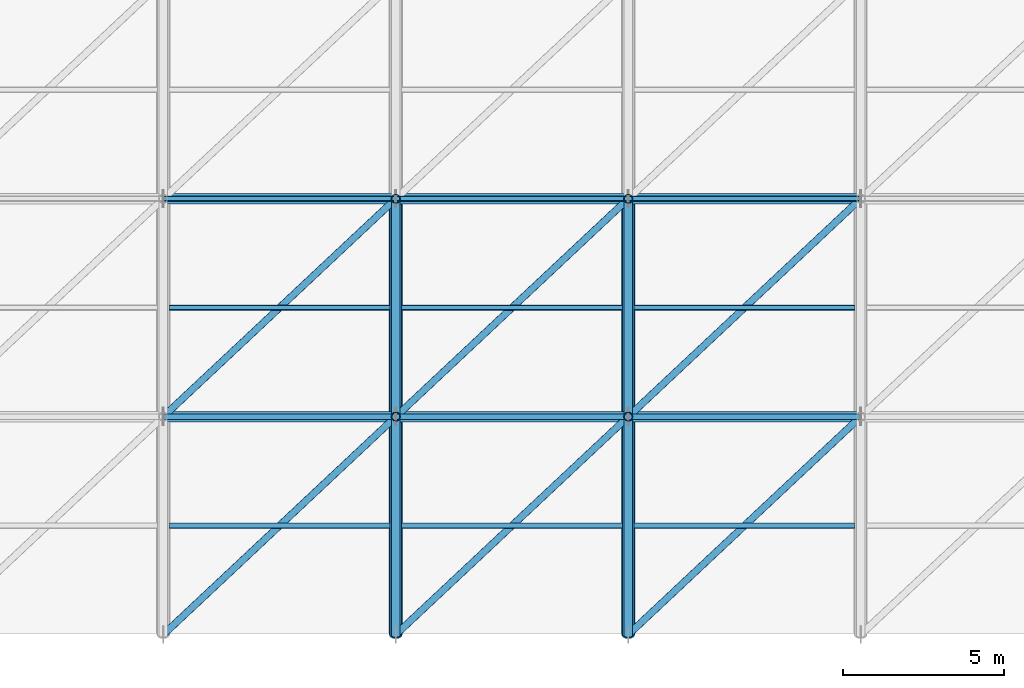
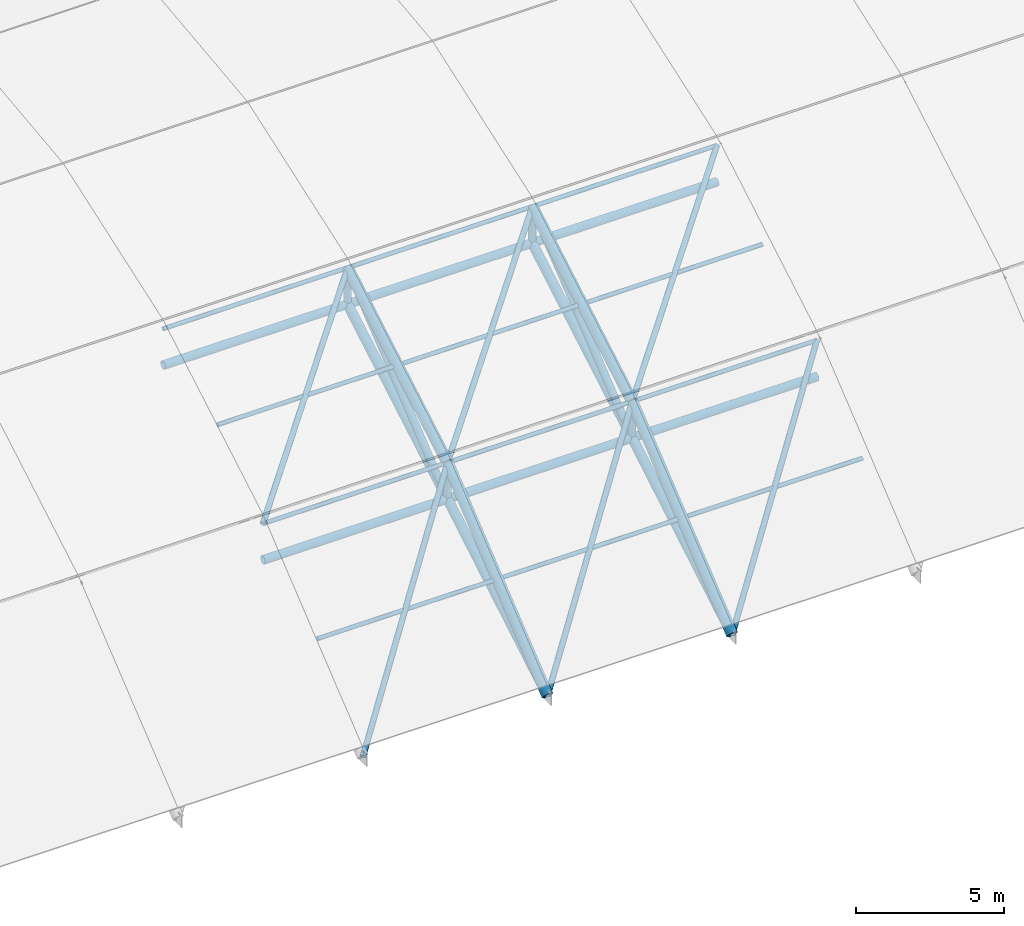
# One storey, part 2 of 72: 36 members, 4 beams.
"""IFC4 building model written with IfcOpenShell, lengths in metres."""

from ifc_helpers import new_model, si_unit, direction, frame, origin, origin_2d, place, context, subcontext, project, spatial, hollow_circle, extrude, material, material_profile, profile_set, type_object, element, save


model = new_model("IFC4")

# Units and contexts
model_context = context("Model", 3, precision=1e-05, world=origin(), true_north=direction((0.0, 1.0)))
body_context = subcontext(model_context, "Body", "Model", "MODEL_VIEW")
ifc_project = project(units=[si_unit("LENGTHUNIT", "METRE"), si_unit("AREAUNIT", "SQUARE_METRE"), si_unit("VOLUMEUNIT", "CUBIC_METRE"), si_unit("PLANEANGLEUNIT", "RADIAN"), si_unit("MASSUNIT", "GRAM", prefix="KILO")], contexts=[model_context])

# Site, building, storey
site_placement = place(None, origin())
site = spatial("IfcSite", under=ifc_project, at=site_placement, CompositionType="ELEMENT")
building_placement = place(site_placement, origin())
building = spatial("IfcBuilding", under=site, at=building_placement, Name="Vaelcorin Mobility Hub", CompositionType="ELEMENT")
storey_placement = place(building_placement, frame((0.0, 0.0, 25.800048828125)))
storey = spatial("IfcBuildingStorey", under=building, at=storey_placement, Name="RF", CompositionType="ELEMENT", Elevation=25.800048828125)

# Members
ifc_material = material(Name="Steel ASTM A500 Grade C", Category="steel")
ifc_material_profile_1 = material_profile(ifc_material, hollow_circle(Radius=0.161865234375, WallThickness=0.0126953125, at=origin_2d()), Name="HSS12.750X0.500")
ifc_profile_set_1 = profile_set([ifc_material_profile_1], Name="Steel ASTM A500 Grade C")
member_type_1 = type_object("IfcMemberType", Name="SF-CHORD-12", PredefinedType="CHORD", material=ifc_profile_set_1)
for number, where, z_axis, x_axis, name in (
    (1, (50.39990234375, 12.75, -15.7880859375), (1.0, 0.0, 0.0), (0.0, 1.0, 0.0), "Space Frame Lower Longitudinal Chord 3-1"),
    (2, (50.39990234375, 19.5, -11.85009765625), (1.0, 0.0, 0.0), (0.0, 1.0, 0.0), "Space Frame Lower Longitudinal Chord 3-2"),
):
    element("IfcMember", number, at=place(storey_placement, frame(where, z_axis=z_axis, x_axis=x_axis)), inside=storey, type_object=member_type_1, Name=name, PredefinedType="CHORD", context=body_context, shape_type="SweptSolid", body=[
        extrude(hollow_circle(Radius=0.161865234375, WallThickness=0.0126953125, at=origin_2d()), origin(), (0.0, 0.0, 1.0), 7.2001953125),
    ])
for number, where, z_axis, x_axis, name in (
    (3, (57.60009765625, 12.75, -15.7880859375), (1.0, 0.0, 0.0), (0.0, 1.0, 0.0), "Space Frame Lower Longitudinal Chord 4-1"),
    (4, (57.60009765625, 19.5, -11.85009765625), (1.0, 0.0, 0.0), (0.0, 1.0, 0.0), "Space Frame Lower Longitudinal Chord 4-2"),
    (5, (64.800048828125, 12.75, -15.7880859375), (1.0, 0.0, 0.0), (0.0, 1.0, 0.0), "Space Frame Lower Longitudinal Chord 5-1"),
    (6, (64.800048828125, 19.5, -11.85009765625), (1.0, 0.0, 0.0), (0.0, 1.0, 0.0), "Space Frame Lower Longitudinal Chord 5-2"),
):
    element("IfcMember", number, at=place(storey_placement, frame(where, z_axis=z_axis, x_axis=x_axis)), inside=storey, type_object=member_type_1, Name=name, PredefinedType="CHORD", context=body_context, shape_type="SweptSolid", body=[
        extrude(hollow_circle(Radius=0.161865234375, WallThickness=0.0126953125, at=origin_2d()), origin(), (0.0, 0.0, 1.0), 7.199951171875),
    ])
ifc_material_profile_2 = material_profile(ifc_material, hollow_circle(Radius=0.177734375, WallThickness=0.0126953125, at=origin_2d()), Name="HSS14.000X0.500")
ifc_profile_set_2 = profile_set([ifc_material_profile_2], Name="Steel ASTM A500 Grade C")
member_type_2 = type_object("IfcMemberType", Name="SF-CHORD-14", PredefinedType="CHORD", material=ifc_profile_set_2)
member_1_placement = place(storey_placement, frame((57.60009765625, 6.0, -19.800048828125), z_axis=(0.0, 0.859622623593, 0.510929491229), x_axis=(-1.0, 0.0, 0.0)))
element("IfcMember", 7, at=member_1_placement, inside=storey, type_object=member_type_2, Name="Space Frame Roof Truss Lower Chord 4-1", PredefinedType="CHORD", context=body_context, shape_type="SweptSolid", body=[
    extrude(hollow_circle(Radius=0.177734375, WallThickness=0.0126953125, at=origin_2d()), origin(), (0.0, 0.0, 1.0), 7.852294921875),
])
member_2_placement = place(storey_placement, frame((57.60009765625, 12.75, -15.7880859375), z_axis=(0.0, 0.863751705385, 0.503917643514), x_axis=(-1.0, 0.0, 0.0)))
element("IfcMember", 8, at=member_2_placement, inside=storey, type_object=member_type_2, Name="Space Frame Roof Truss Lower Chord 4-2", PredefinedType="CHORD", context=body_context, shape_type="SweptSolid", body=[
    extrude(hollow_circle(Radius=0.177734375, WallThickness=0.0126953125, at=origin_2d()), origin(), (0.0, 0.0, 1.0), 7.814697265625),
])
member_3_placement = place(storey_placement, frame((64.800048828125, 6.0, -19.800048828125), z_axis=(0.0, 0.859622623593, 0.510929491229), x_axis=(-1.0, 0.0, 0.0)))
element("IfcMember", 9, at=member_3_placement, inside=storey, type_object=member_type_2, Name="Space Frame Roof Truss Lower Chord 5-1", PredefinedType="CHORD", context=body_context, shape_type="SweptSolid", body=[
    extrude(hollow_circle(Radius=0.177734375, WallThickness=0.0126953125, at=origin_2d()), origin(), (0.0, 0.0, 1.0), 7.852294921875),
])
member_4_placement = place(storey_placement, frame((64.800048828125, 12.75, -15.7880859375), z_axis=(0.0, 0.863751705385, 0.503917643514), x_axis=(-1.0, 0.0, 0.0)))
element("IfcMember", 10, at=member_4_placement, inside=storey, type_object=member_type_2, Name="Space Frame Roof Truss Lower Chord 5-2", PredefinedType="CHORD", context=body_context, shape_type="SweptSolid", body=[
    extrude(hollow_circle(Radius=0.177734375, WallThickness=0.0126953125, at=origin_2d()), origin(), (0.0, 0.0, 1.0), 7.814697265625),
])
ifc_material_profile_3 = material_profile(ifc_material, hollow_circle(Radius=0.136474609375, WallThickness=0.0126953125, at=origin_2d()), Name="HSS10.750X0.500")
ifc_profile_set_3 = profile_set([ifc_material_profile_3], Name="Steel ASTM A500 Grade C")
member_type_3 = type_object("IfcMemberType", Name="SF-DIAG-10", PredefinedType="BRACE", material=ifc_profile_set_3)
member_5_placement = place(storey_placement, frame((57.60009765625, 6.0, -19.800048828125), z_axis=(0.0, 0.774562321982, 0.632497596332), x_axis=(-1.0, 0.0, 0.0)))
element("IfcMember", 11, at=member_5_placement, inside=storey, type_object=member_type_3, Name="Space Frame Roof Truss Web Diagonal 4-1", PredefinedType="BRACE", context=body_context, shape_type="SweptSolid", body=[
    extrude(hollow_circle(Radius=0.136474609375, WallThickness=0.0126953125, at=origin_2d()), origin(), (0.0, 0.0, 1.0), 8.714599609375),
])
member_6_placement = place(storey_placement, frame((57.60009765625, 12.75, -15.7880859375), z_axis=(0.0, 0.778726388415, 0.627363699926), x_axis=(-1.0, 0.0, 0.0)))
element("IfcMember", 12, at=member_6_placement, inside=storey, type_object=member_type_3, Name="Space Frame Roof Truss Web Diagonal 4-2", PredefinedType="BRACE", context=body_context, shape_type="SweptSolid", body=[
    extrude(hollow_circle(Radius=0.136474609375, WallThickness=0.0126953125, at=origin_2d()), origin(), (0.0, 0.0, 1.0), 8.66796875),
])
member_7_placement = place(storey_placement, frame((64.800048828125, 6.0, -19.800048828125), z_axis=(0.0, 0.774562321982, 0.632497596332), x_axis=(-1.0, 0.0, 0.0)))
element("IfcMember", 13, at=member_7_placement, inside=storey, type_object=member_type_3, Name="Space Frame Roof Truss Web Diagonal 5-1", PredefinedType="BRACE", context=body_context, shape_type="SweptSolid", body=[
    extrude(hollow_circle(Radius=0.136474609375, WallThickness=0.0126953125, at=origin_2d()), origin(), (0.0, 0.0, 1.0), 8.714599609375),
])
member_8_placement = place(storey_placement, frame((64.800048828125, 12.75, -15.7880859375), z_axis=(0.0, 0.778726388415, 0.627363699926), x_axis=(-1.0, 0.0, 0.0)))
element("IfcMember", 14, at=member_8_placement, inside=storey, type_object=member_type_3, Name="Space Frame Roof Truss Web Diagonal 5-2", PredefinedType="BRACE", context=body_context, shape_type="SweptSolid", body=[
    extrude(hollow_circle(Radius=0.136474609375, WallThickness=0.0126953125, at=origin_2d()), origin(), (0.0, 0.0, 1.0), 8.66796875),
])
ifc_material_profile_4 = material_profile(ifc_material, hollow_circle(Radius=0.109619140625, WallThickness=0.009521484375, at=origin_2d()), Name="HSS8.625X0.375")
ifc_profile_set_4 = profile_set([ifc_material_profile_4], Name="Steel ASTM A500 Grade C")
member_type_4 = type_object("IfcMemberType", Name="SF-DIAG-8", PredefinedType="BRACE", material=ifc_profile_set_4)
member_9_placement = place(storey_placement, frame((50.39990234375, 6.0, -19.800048828125), z_axis=(0.636943425759, 0.59711826378, 0.487599068336), x_axis=(-0.683931254551, 0.729546461199, 0.0)))
element("IfcMember", 15, at=member_9_placement, inside=storey, type_object=member_type_4, Name="Space Frame Bracing Diagonal 3-1", PredefinedType="BRACE", context=body_context, shape_type="SweptSolid", body=[
    extrude(hollow_circle(Radius=0.109619140625, WallThickness=0.009521484375, at=origin_2d()), origin(), (0.0, 0.0, 1.0), 11.30419921875),
])
member_10_placement = place(storey_placement, frame((50.39990234375, 12.75, -14.2880859375), z_axis=(0.67759810152, 0.635230988431, 0.370597361234), x_axis=(-0.683931254551, 0.729546461199, 0.0)))
element("IfcMember", 16, at=member_10_placement, inside=storey, type_object=member_type_4, Name="Space Frame Bracing Diagonal 3-2", PredefinedType="BRACE", context=body_context, shape_type="SweptSolid", body=[
    extrude(hollow_circle(Radius=0.109619140625, WallThickness=0.009521484375, at=origin_2d()), origin(), (0.0, 0.0, 1.0), 10.6259765625),
])
member_11_placement = place(storey_placement, frame((57.60009765625, 6.0, -19.800048828125), z_axis=(0.636930590236, 0.59712647787, 0.487605775856), x_axis=(-0.683943597489, 0.729534889813, 0.0)))
element("IfcMember", 17, at=member_11_placement, inside=storey, type_object=member_type_4, Name="Space Frame Bracing Diagonal 4-1", PredefinedType="BRACE", context=body_context, shape_type="SweptSolid", body=[
    extrude(hollow_circle(Radius=0.109619140625, WallThickness=0.009521484375, at=origin_2d()), origin(), (0.0, 0.0, 1.0), 11.30419921875),
])
member_12_placement = place(storey_placement, frame((57.60009765625, 12.75, -14.2880859375), z_axis=(0.677585674596, 0.635240877937, 0.370603130828), x_axis=(-0.683943597489, 0.729534889813, 0.0)))
element("IfcMember", 18, at=member_12_placement, inside=storey, type_object=member_type_4, Name="Space Frame Bracing Diagonal 4-2", PredefinedType="BRACE", context=body_context, shape_type="SweptSolid", body=[
    extrude(hollow_circle(Radius=0.109619140625, WallThickness=0.009521484375, at=origin_2d()), origin(), (0.0, 0.0, 1.0), 10.6259765625),
])
member_13_placement = place(storey_placement, frame((64.800048828125, 6.0, -19.800048828125), z_axis=(0.636930590236, 0.59712647787, 0.487605775856), x_axis=(-0.683943597489, 0.729534889813, 0.0)))
element("IfcMember", 19, at=member_13_placement, inside=storey, type_object=member_type_4, Name="Space Frame Bracing Diagonal 5-1", PredefinedType="BRACE", context=body_context, shape_type="SweptSolid", body=[
    extrude(hollow_circle(Radius=0.109619140625, WallThickness=0.009521484375, at=origin_2d()), origin(), (0.0, 0.0, 1.0), 11.30419921875),
])
member_14_placement = place(storey_placement, frame((64.800048828125, 12.75, -14.2880859375), z_axis=(0.677585674596, 0.635240877937, 0.370603130828), x_axis=(-0.683943597489, 0.729534889813, 0.0)))
element("IfcMember", 20, at=member_14_placement, inside=storey, type_object=member_type_4, Name="Space Frame Bracing Diagonal 5-2", PredefinedType="BRACE", context=body_context, shape_type="SweptSolid", body=[
    extrude(hollow_circle(Radius=0.109619140625, WallThickness=0.009521484375, at=origin_2d()), origin(), (0.0, 0.0, 1.0), 10.6259765625),
])
ifc_material_profile_5 = material_profile(ifc_material, hollow_circle(Radius=0.136474609375, WallThickness=0.0126953125, at=origin_2d()), Name="HSS10.750X0.500")
ifc_profile_set_5 = profile_set([ifc_material_profile_5], Name="Steel ASTM A500 Grade C")
member_type_5 = type_object("IfcMemberType", Name="SF-POST-10", PredefinedType="POST", material=ifc_profile_set_5)
for number, where, z_axis, x_axis, name in (
    (21, (57.60009765625, 12.75, -15.7880859375), (0.0, 0.0, 1.0), (1.0, 0.0, 0.0), "Space Frame Roof Truss Post 4-1"),
    (22, (57.60009765625, 19.5, -11.85009765625), (0.0, 0.0, 1.0), (1.0, 0.0, 0.0), "Space Frame Roof Truss Post 4-2"),
    (23, (64.800048828125, 12.75, -15.7880859375), (0.0, 0.0, 1.0), (1.0, 0.0, 0.0), "Space Frame Roof Truss Post 5-1"),
    (24, (64.800048828125, 19.5, -11.85009765625), (0.0, 0.0, 1.0), (1.0, 0.0, 0.0), "Space Frame Roof Truss Post 5-2"),
):
    element("IfcMember", number, at=place(storey_placement, frame(where, z_axis=z_axis, x_axis=x_axis)), inside=storey, type_object=member_type_5, Name=name, PredefinedType="POST", context=body_context, shape_type="SweptSolid", body=[
        extrude(hollow_circle(Radius=0.136474609375, WallThickness=0.0126953125, at=origin_2d()), origin(), (0.0, 0.0, 1.0), 1.5),
    ])
ifc_material_profile_6 = material_profile(ifc_material, hollow_circle(Radius=0.084228515625, WallThickness=0.0078125, at=origin_2d()), Name="HSS6.625X0.312")
ifc_profile_set_6 = profile_set([ifc_material_profile_6], Name="Steel ASTM A500 Grade C")
member_type_6 = type_object("IfcMemberType", Name="SF-PURL-6", PredefinedType="PURLIN", material=ifc_profile_set_6)
for number, where, z_axis, x_axis, name in (
    (25, (50.39990234375, 12.75, -14.2880859375), (1.0, 0.0, 0.0), (0.0, 1.0, 0.0), "Space Frame Longitudinal Chord 3-1"),
    (26, (50.39990234375, 19.5, -10.35009765625), (1.0, 0.0, 0.0), (0.0, 1.0, 0.0), "Space Frame Longitudinal Chord 3-2"),
):
    element("IfcMember", number, at=place(storey_placement, frame(where, z_axis=z_axis, x_axis=x_axis)), inside=storey, type_object=member_type_6, Name=name, PredefinedType="PURLIN", context=body_context, shape_type="SweptSolid", body=[
        extrude(hollow_circle(Radius=0.084228515625, WallThickness=0.0078125, at=origin_2d()), origin(), (0.0, 0.0, 1.0), 7.2001953125),
    ])
for number, where, z_axis, x_axis, name in (
    (27, (50.580078125, 9.375, -17.0439453125), (1.0, 0.0, 0.0), (0.0, 1.0, 0.0), "Space Frame Secondary Purlin 3-1"),
    (28, (50.580078125, 16.125, -12.319091796875), (1.0, 0.0, 0.0), (0.0, 1.0, 0.0), "Space Frame Secondary Purlin 3-2"),
):
    element("IfcMember", number, at=place(storey_placement, frame(where, z_axis=z_axis, x_axis=x_axis)), inside=storey, type_object=member_type_6, Name=name, PredefinedType="PURLIN", context=body_context, shape_type="SweptSolid", body=[
        extrude(hollow_circle(Radius=0.084228515625, WallThickness=0.0078125, at=origin_2d()), origin(), (0.0, 0.0, 1.0), 6.83984375),
    ])
for number, where, z_axis, x_axis, name in (
    (29, (57.60009765625, 12.75, -14.2880859375), (1.0, 0.0, 0.0), (0.0, 1.0, 0.0), "Space Frame Longitudinal Chord 4-1"),
    (30, (57.60009765625, 19.5, -10.35009765625), (1.0, 0.0, 0.0), (0.0, 1.0, 0.0), "Space Frame Longitudinal Chord 4-2"),
):
    element("IfcMember", number, at=place(storey_placement, frame(where, z_axis=z_axis, x_axis=x_axis)), inside=storey, type_object=member_type_6, Name=name, PredefinedType="PURLIN", context=body_context, shape_type="SweptSolid", body=[
        extrude(hollow_circle(Radius=0.084228515625, WallThickness=0.0078125, at=origin_2d()), origin(), (0.0, 0.0, 1.0), 7.199951171875),
    ])
for number, where, z_axis, x_axis, name in (
    (31, (57.780029296875, 9.375, -17.0439453125), (1.0, 0.0, 0.0), (0.0, 1.0, 0.0), "Space Frame Secondary Purlin 4-1"),
    (32, (57.780029296875, 16.125, -12.319091796875), (1.0, 0.0, 0.0), (0.0, 1.0, 0.0), "Space Frame Secondary Purlin 4-2"),
):
    element("IfcMember", number, at=place(storey_placement, frame(where, z_axis=z_axis, x_axis=x_axis)), inside=storey, type_object=member_type_6, Name=name, PredefinedType="PURLIN", context=body_context, shape_type="SweptSolid", body=[
        extrude(hollow_circle(Radius=0.084228515625, WallThickness=0.0078125, at=origin_2d()), origin(), (0.0, 0.0, 1.0), 6.840087890625),
    ])
for number, where, z_axis, x_axis, name in (
    (33, (64.800048828125, 12.75, -14.2880859375), (1.0, 0.0, 0.0), (0.0, 1.0, 0.0), "Space Frame Longitudinal Chord 5-1"),
    (34, (64.800048828125, 19.5, -10.35009765625), (1.0, 0.0, 0.0), (0.0, 1.0, 0.0), "Space Frame Longitudinal Chord 5-2"),
):
    element("IfcMember", number, at=place(storey_placement, frame(where, z_axis=z_axis, x_axis=x_axis)), inside=storey, type_object=member_type_6, Name=name, PredefinedType="PURLIN", context=body_context, shape_type="SweptSolid", body=[
        extrude(hollow_circle(Radius=0.084228515625, WallThickness=0.0078125, at=origin_2d()), origin(), (0.0, 0.0, 1.0), 7.199951171875),
    ])
for number, where, z_axis, x_axis, name in (
    (35, (64.97998046875, 9.375, -17.0439453125), (1.0, 0.0, 0.0), (0.0, 1.0, 0.0), "Space Frame Secondary Purlin 5-1"),
    (36, (64.97998046875, 16.125, -12.319091796875), (1.0, 0.0, 0.0), (0.0, 1.0, 0.0), "Space Frame Secondary Purlin 5-2"),
):
    element("IfcMember", number, at=place(storey_placement, frame(where, z_axis=z_axis, x_axis=x_axis)), inside=storey, type_object=member_type_6, Name=name, PredefinedType="PURLIN", context=body_context, shape_type="SweptSolid", body=[
        extrude(hollow_circle(Radius=0.084228515625, WallThickness=0.0078125, at=origin_2d()), origin(), (0.0, 0.0, 1.0), 6.840087890625),
    ])

# Beams
ifc_material_profile_7 = material_profile(ifc_material, hollow_circle(Radius=0.203125, WallThickness=0.015869140625, at=origin_2d()), Name="HSS16.000X0.625")
ifc_profile_set_7 = profile_set([ifc_material_profile_7], Name="Steel ASTM A500 Grade C")
beam_type = type_object("IfcBeamType", Name="TR-CHORD-16", PredefinedType="BEAM", material=ifc_profile_set_7)
beam_1_placement = place(storey_placement, frame((57.60009765625, 6.0, -19.800048828125), z_axis=(0.0, 0.774562321982, 0.632497596332), x_axis=(-1.0, 0.0, 0.0)))
element("IfcBeam", 37, at=beam_1_placement, inside=storey, type_object=beam_type, Name="Space Frame Roof Truss Upper Chord 4-1", PredefinedType="BEAM", context=body_context, shape_type="SweptSolid", body=[
    extrude(hollow_circle(Radius=0.203125, WallThickness=0.015869140625, at=origin_2d()), origin(), (0.0, 0.0, 1.0), 8.714599609375),
])
beam_2_placement = place(storey_placement, frame((57.60009765625, 12.75, -14.2880859375), z_axis=(0.0, 0.863751705385, 0.503917643514), x_axis=(-1.0, 0.0, 0.0)))
element("IfcBeam", 38, at=beam_2_placement, inside=storey, type_object=beam_type, Name="Space Frame Roof Truss Upper Chord 4-2", PredefinedType="BEAM", context=body_context, shape_type="SweptSolid", body=[
    extrude(hollow_circle(Radius=0.203125, WallThickness=0.015869140625, at=origin_2d()), origin(), (0.0, 0.0, 1.0), 7.814697265625),
])
beam_3_placement = place(storey_placement, frame((64.800048828125, 6.0, -19.800048828125), z_axis=(0.0, 0.774562321982, 0.632497596332), x_axis=(-1.0, 0.0, 0.0)))
element("IfcBeam", 39, at=beam_3_placement, inside=storey, type_object=beam_type, Name="Space Frame Roof Truss Upper Chord 5-1", PredefinedType="BEAM", context=body_context, shape_type="SweptSolid", body=[
    extrude(hollow_circle(Radius=0.203125, WallThickness=0.015869140625, at=origin_2d()), origin(), (0.0, 0.0, 1.0), 8.714599609375),
])
beam_4_placement = place(storey_placement, frame((64.800048828125, 12.75, -14.2880859375), z_axis=(0.0, 0.863751705385, 0.503917643514), x_axis=(-1.0, 0.0, 0.0)))
element("IfcBeam", 40, at=beam_4_placement, inside=storey, type_object=beam_type, Name="Space Frame Roof Truss Upper Chord 5-2", PredefinedType="BEAM", context=body_context, shape_type="SweptSolid", body=[
    extrude(hollow_circle(Radius=0.203125, WallThickness=0.015869140625, at=origin_2d()), origin(), (0.0, 0.0, 1.0), 7.814697265625),
])

save(model, "model.ifc")
